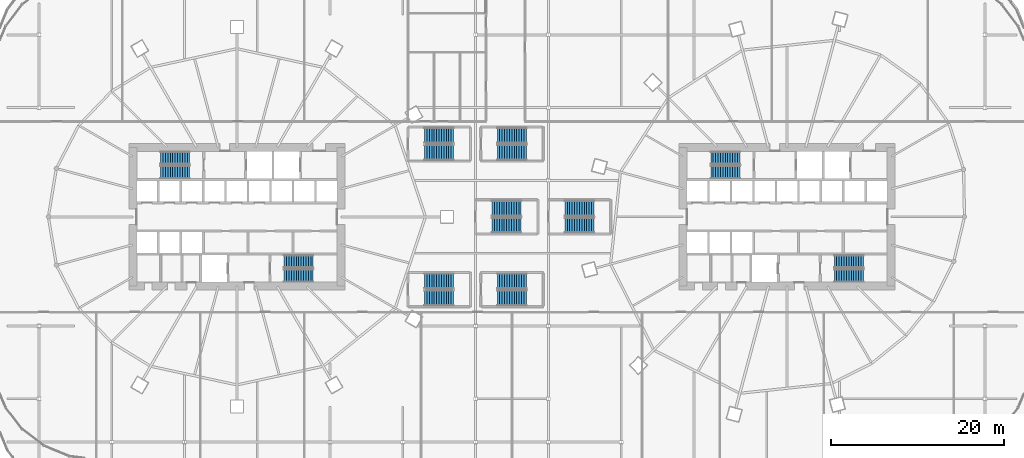
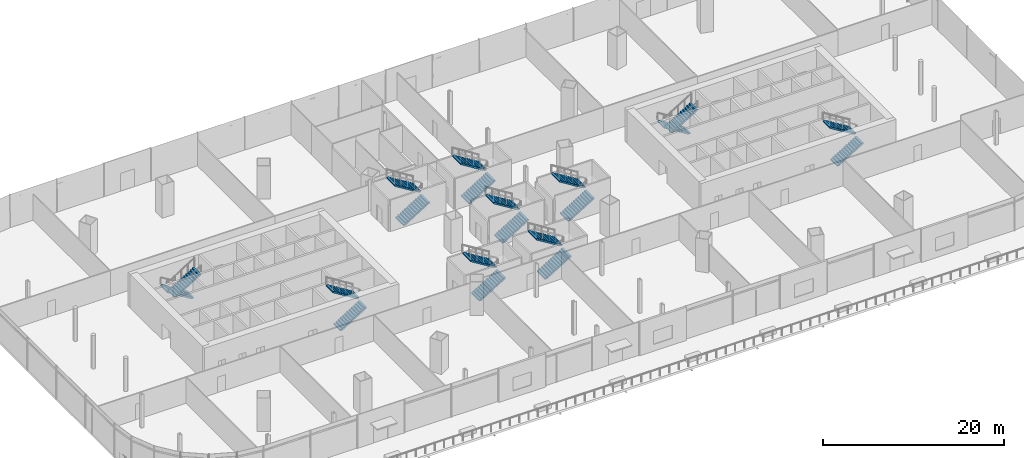
# One storey, part 42 of 52: 20 stair flights, 10 elements without a shape of their own.
"""IFC4 building model written with IfcOpenShell, lengths in metres."""

from ifc_helpers import new_model, si_unit, direction, frame, origin, place, context, subcontext, project, spatial, polyline, outline, extrude, material, type_object, element, aggregate, save


model = new_model("IFC4")

# Units and contexts
model_context = context("Model", 3, precision=1e-05, world=origin(), true_north=direction((0.0, 1.0)))
body_context = subcontext(model_context, "Body", "Model", "MODEL_VIEW")
ifc_project = project(units=[si_unit("LENGTHUNIT", "METRE"), si_unit("AREAUNIT", "SQUARE_METRE"), si_unit("VOLUMEUNIT", "CUBIC_METRE"), si_unit("PLANEANGLEUNIT", "RADIAN"), si_unit("MASSUNIT", "GRAM", prefix="KILO")], contexts=[model_context])

# Site, building, storey
site_placement = place(None, origin())
site = spatial("IfcSite", under=ifc_project, at=site_placement, CompositionType="ELEMENT")
building_placement = place(site_placement, origin())
building = spatial("IfcBuilding", under=site, at=building_placement, Name="Rimbun Link Towers", CompositionType="ELEMENT")
storey_placement = place(building_placement, frame((0.0, 0.0, 21.0)))
storey = spatial("IfcBuildingStorey", under=building, at=storey_placement, Name="L04", CompositionType="ELEMENT", Elevation=21.0)

# Stair, stair flights
ifc_material_1 = material(Name="Concrete C40/50", Category="concrete")
stair_type_1 = type_object("IfcStairType", Name="Exit stair 4500 rise", PredefinedType="HALF_TURN_STAIR", material=ifc_material_1)
stair_1_placement = place(storey_placement, origin())
stair_1 = element("IfcStair", 1, at=stair_1_placement, inside=storey, type_object=stair_type_1, Name="L04 EXIT STAIR A", PredefinedType="HALF_TURN_STAIR")
ifc_material_2 = material(Name="Concrete C40/50", Category="concrete")
stair_flight_type_1 = type_object("IfcStairFlightType", Name="Exit stair flight 4500 rise", PredefinedType="STRAIGHT", material=ifc_material_2)
stair_flight_1_placement = place(storey_placement, frame((-37.199951171875, 6.800048828125, 0.0), z_axis=(0.0, 0.0, 1.0), x_axis=(-1.0, 0.0, 0.0)))
stair_flight_1 = element("IfcStairFlight", 2, at=stair_flight_1_placement, type_object=stair_flight_type_1, Name="ST1 flight 1", NumberOfRisers=13, NumberOfTreads=12, PredefinedType="STRAIGHT", RiserHeight=0.173076923, TreadLength=0.28, context=body_context, shape_type="SweptSolid", body=[
    extrude(outline(polyline([(0.0, 0.0), (0.0, 0.173095703125), (0.280029296875, 0.173095703125), (0.280029296875, 0.34619140625), (0.56005859375, 0.34619140625), (0.56005859375, 0.519287109375), (0.840087890625, 0.519287109375), (0.840087890625, 0.6923828125), (1.1201171875, 0.6923828125), (1.1201171875, 0.865478515625), (1.39990234375, 0.865478515625), (1.39990234375, 1.03857421875), (1.679931640625, 1.03857421875), (1.679931640625, 1.21142578125), (1.9599609375, 1.21142578125), (1.9599609375, 1.384521484375), (2.239990234375, 1.384521484375), (2.239990234375, 1.5576171875), (2.52001953125, 1.5576171875), (2.52001953125, 1.730712890625), (2.800048828125, 1.730712890625), (2.800048828125, 1.90380859375), (3.080078125, 1.90380859375), (3.080078125, 2.076904296875), (3.360107421875, 2.076904296875), (3.360107421875, 2.25), (3.360107421875, 1.900634765625), (0.280029296875, 0.0), (0.0, 0.0)])), frame((0.0, 0.75, 0.0), z_axis=(0.0, -1.0, 0.0), x_axis=(1.0, 0.0, 0.0)), (0.0, 0.0, 1.0), 1.5),
])
stair_flight_2_placement = place(storey_placement, frame((-40.56005859375, 5.14990234375, 2.25), z_axis=(0.0, 0.0, 1.0), x_axis=(1.0, 0.0, 0.0)))
stair_flight_2 = element("IfcStairFlight", 3, at=stair_flight_2_placement, type_object=stair_flight_type_1, Name="ST1 flight 2", NumberOfRisers=13, NumberOfTreads=12, PredefinedType="STRAIGHT", RiserHeight=0.173076923, TreadLength=0.28, context=body_context, shape_type="SweptSolid", body=[
    extrude(outline(polyline([(0.0, 0.0), (0.0, 0.173095703125), (0.280029296875, 0.173095703125), (0.280029296875, 0.34619140625), (0.56005859375, 0.34619140625), (0.56005859375, 0.519287109375), (0.840087890625, 0.519287109375), (0.840087890625, 0.6923828125), (1.1201171875, 0.6923828125), (1.1201171875, 0.865478515625), (1.39990234375, 0.865478515625), (1.39990234375, 1.03857421875), (1.679931640625, 1.03857421875), (1.679931640625, 1.21142578125), (1.9599609375, 1.21142578125), (1.9599609375, 1.384521484375), (2.239990234375, 1.384521484375), (2.239990234375, 1.5576171875), (2.52001953125, 1.5576171875), (2.52001953125, 1.730712890625), (2.800048828125, 1.730712890625), (2.800048828125, 1.90380859375), (3.080078125, 1.90380859375), (3.080078125, 2.076904296875), (3.360107421875, 2.076904296875), (3.360107421875, 2.25), (3.360107421875, 1.900634765625), (0.280029296875, 0.0), (0.0, 0.0)])), frame((0.0, 0.75, 0.0), z_axis=(0.0, -1.0, 0.0), x_axis=(1.0, 0.0, 0.0)), (0.0, 0.0, 1.0), 1.5),
])
aggregate(stair_1, [stair_flight_1, stair_flight_2])

stair_2_placement = place(storey_placement, origin())
stair_2 = element("IfcStair", 4, at=stair_2_placement, inside=storey, type_object=stair_type_1, Name="L04 EXIT STAIR B", PredefinedType="HALF_TURN_STAIR")
stair_flight_3_placement = place(storey_placement, frame((-26.300048828125, -6.800048828125, 0.0), z_axis=(0.0, 0.0, 1.0), x_axis=(1.0, 0.0, 0.0)))
stair_flight_3 = element("IfcStairFlight", 5, at=stair_flight_3_placement, type_object=stair_flight_type_1, Name="ST2 flight 1", NumberOfRisers=13, NumberOfTreads=12, PredefinedType="STRAIGHT", RiserHeight=0.173076923, TreadLength=0.28, context=body_context, shape_type="SweptSolid", body=[
    extrude(outline(polyline([(0.0, 0.0), (0.0, 0.173095703125), (0.280029296875, 0.173095703125), (0.280029296875, 0.34619140625), (0.56005859375, 0.34619140625), (0.56005859375, 0.519287109375), (0.840087890625, 0.519287109375), (0.840087890625, 0.6923828125), (1.1201171875, 0.6923828125), (1.1201171875, 0.865478515625), (1.39990234375, 0.865478515625), (1.39990234375, 1.03857421875), (1.679931640625, 1.03857421875), (1.679931640625, 1.21142578125), (1.9599609375, 1.21142578125), (1.9599609375, 1.384521484375), (2.239990234375, 1.384521484375), (2.239990234375, 1.5576171875), (2.52001953125, 1.5576171875), (2.52001953125, 1.730712890625), (2.800048828125, 1.730712890625), (2.800048828125, 1.90380859375), (3.080078125, 1.90380859375), (3.080078125, 2.076904296875), (3.360107421875, 2.076904296875), (3.360107421875, 2.25), (3.360107421875, 1.900634765625), (0.280029296875, 0.0), (0.0, 0.0)])), frame((0.0, 0.75, 0.0), z_axis=(0.0, -1.0, 0.0), x_axis=(1.0, 0.0, 0.0)), (0.0, 0.0, 1.0), 1.5),
])
stair_flight_4_placement = place(storey_placement, frame((-22.93994140625, -5.14990234375, 2.25), z_axis=(0.0, 0.0, 1.0), x_axis=(-1.0, 0.0, 0.0)))
stair_flight_4 = element("IfcStairFlight", 6, at=stair_flight_4_placement, type_object=stair_flight_type_1, Name="ST2 flight 2", NumberOfRisers=13, NumberOfTreads=12, PredefinedType="STRAIGHT", RiserHeight=0.173076923, TreadLength=0.28, context=body_context, shape_type="SweptSolid", body=[
    extrude(outline(polyline([(0.0, 0.0), (0.0, 0.173095703125), (0.280029296875, 0.173095703125), (0.280029296875, 0.34619140625), (0.56005859375, 0.34619140625), (0.56005859375, 0.519287109375), (0.840087890625, 0.519287109375), (0.840087890625, 0.6923828125), (1.1201171875, 0.6923828125), (1.1201171875, 0.865478515625), (1.39990234375, 0.865478515625), (1.39990234375, 1.03857421875), (1.679931640625, 1.03857421875), (1.679931640625, 1.21142578125), (1.9599609375, 1.21142578125), (1.9599609375, 1.384521484375), (2.239990234375, 1.384521484375), (2.239990234375, 1.5576171875), (2.52001953125, 1.5576171875), (2.52001953125, 1.730712890625), (2.800048828125, 1.730712890625), (2.800048828125, 1.90380859375), (3.080078125, 1.90380859375), (3.080078125, 2.076904296875), (3.360107421875, 2.076904296875), (3.360107421875, 2.25), (3.360107421875, 1.900634765625), (0.280029296875, 0.0), (0.0, 0.0)])), frame((0.0, 0.75, 0.0), z_axis=(0.0, -1.0, 0.0), x_axis=(1.0, 0.0, 0.0)), (0.0, 0.0, 1.0), 1.5),
])
aggregate(stair_2, [stair_flight_3, stair_flight_4])

stair_3_placement = place(storey_placement, origin())
stair_3 = element("IfcStair", 7, at=stair_3_placement, inside=storey, type_object=stair_type_1, Name="L04 EXIT STAIR A", PredefinedType="HALF_TURN_STAIR")
stair_flight_5_placement = place(storey_placement, frame((26.300048828125, 6.800048828125, 0.0), z_axis=(0.0, 0.0, 1.0), x_axis=(-1.0, 0.0, 0.0)))
stair_flight_5 = element("IfcStairFlight", 8, at=stair_flight_5_placement, type_object=stair_flight_type_1, Name="ST3 flight 1", NumberOfRisers=13, NumberOfTreads=12, PredefinedType="STRAIGHT", RiserHeight=0.173076923, TreadLength=0.28, context=body_context, shape_type="SweptSolid", body=[
    extrude(outline(polyline([(0.0, 0.0), (0.0, 0.173095703125), (0.280029296875, 0.173095703125), (0.280029296875, 0.34619140625), (0.56005859375, 0.34619140625), (0.56005859375, 0.519287109375), (0.840087890625, 0.519287109375), (0.840087890625, 0.6923828125), (1.1201171875, 0.6923828125), (1.1201171875, 0.865478515625), (1.39990234375, 0.865478515625), (1.39990234375, 1.03857421875), (1.679931640625, 1.03857421875), (1.679931640625, 1.21142578125), (1.9599609375, 1.21142578125), (1.9599609375, 1.384521484375), (2.239990234375, 1.384521484375), (2.239990234375, 1.5576171875), (2.52001953125, 1.5576171875), (2.52001953125, 1.730712890625), (2.800048828125, 1.730712890625), (2.800048828125, 1.90380859375), (3.080078125, 1.90380859375), (3.080078125, 2.076904296875), (3.360107421875, 2.076904296875), (3.360107421875, 2.25), (3.360107421875, 1.900634765625), (0.280029296875, 0.0), (0.0, 0.0)])), frame((0.0, 0.75, 0.0), z_axis=(0.0, -1.0, 0.0), x_axis=(1.0, 0.0, 0.0)), (0.0, 0.0, 1.0), 1.5),
])
stair_flight_6_placement = place(storey_placement, frame((22.93994140625, 5.14990234375, 2.25), z_axis=(0.0, 0.0, 1.0), x_axis=(1.0, 0.0, 0.0)))
stair_flight_6 = element("IfcStairFlight", 9, at=stair_flight_6_placement, type_object=stair_flight_type_1, Name="ST3 flight 2", NumberOfRisers=13, NumberOfTreads=12, PredefinedType="STRAIGHT", RiserHeight=0.173076923, TreadLength=0.28, context=body_context, shape_type="SweptSolid", body=[
    extrude(outline(polyline([(0.0, 0.0), (0.0, 0.173095703125), (0.280029296875, 0.173095703125), (0.280029296875, 0.34619140625), (0.56005859375, 0.34619140625), (0.56005859375, 0.519287109375), (0.840087890625, 0.519287109375), (0.840087890625, 0.6923828125), (1.1201171875, 0.6923828125), (1.1201171875, 0.865478515625), (1.39990234375, 0.865478515625), (1.39990234375, 1.03857421875), (1.679931640625, 1.03857421875), (1.679931640625, 1.21142578125), (1.9599609375, 1.21142578125), (1.9599609375, 1.384521484375), (2.239990234375, 1.384521484375), (2.239990234375, 1.5576171875), (2.52001953125, 1.5576171875), (2.52001953125, 1.730712890625), (2.800048828125, 1.730712890625), (2.800048828125, 1.90380859375), (3.080078125, 1.90380859375), (3.080078125, 2.076904296875), (3.360107421875, 2.076904296875), (3.360107421875, 2.25), (3.360107421875, 1.900634765625), (0.280029296875, 0.0), (0.0, 0.0)])), frame((0.0, 0.75, 0.0), z_axis=(0.0, -1.0, 0.0), x_axis=(1.0, 0.0, 0.0)), (0.0, 0.0, 1.0), 1.5),
])
aggregate(stair_3, [stair_flight_5, stair_flight_6])

stair_4_placement = place(storey_placement, origin())
stair_4 = element("IfcStair", 10, at=stair_4_placement, inside=storey, type_object=stair_type_1, Name="L04 EXIT STAIR B", PredefinedType="HALF_TURN_STAIR")
stair_flight_7_placement = place(storey_placement, frame((37.199951171875, -6.800048828125, 0.0), z_axis=(0.0, 0.0, 1.0), x_axis=(1.0, 0.0, 0.0)))
stair_flight_7 = element("IfcStairFlight", 11, at=stair_flight_7_placement, type_object=stair_flight_type_1, Name="ST4 flight 1", NumberOfRisers=13, NumberOfTreads=12, PredefinedType="STRAIGHT", RiserHeight=0.173076923, TreadLength=0.28, context=body_context, shape_type="SweptSolid", body=[
    extrude(outline(polyline([(0.0, 0.0), (0.0, 0.173095703125), (0.280029296875, 0.173095703125), (0.280029296875, 0.34619140625), (0.56005859375, 0.34619140625), (0.56005859375, 0.519287109375), (0.840087890625, 0.519287109375), (0.840087890625, 0.6923828125), (1.1201171875, 0.6923828125), (1.1201171875, 0.865478515625), (1.39990234375, 0.865478515625), (1.39990234375, 1.03857421875), (1.679931640625, 1.03857421875), (1.679931640625, 1.21142578125), (1.9599609375, 1.21142578125), (1.9599609375, 1.384521484375), (2.239990234375, 1.384521484375), (2.239990234375, 1.5576171875), (2.52001953125, 1.5576171875), (2.52001953125, 1.730712890625), (2.800048828125, 1.730712890625), (2.800048828125, 1.90380859375), (3.080078125, 1.90380859375), (3.080078125, 2.076904296875), (3.360107421875, 2.076904296875), (3.360107421875, 2.25), (3.360107421875, 1.900634765625), (0.280029296875, 0.0), (0.0, 0.0)])), frame((0.0, 0.75, 0.0), z_axis=(0.0, -1.0, 0.0), x_axis=(1.0, 0.0, 0.0)), (0.0, 0.0, 1.0), 1.5),
])
stair_flight_8_placement = place(storey_placement, frame((40.56005859375, -5.14990234375, 2.25), z_axis=(0.0, 0.0, 1.0), x_axis=(-1.0, 0.0, 0.0)))
stair_flight_8 = element("IfcStairFlight", 12, at=stair_flight_8_placement, type_object=stair_flight_type_1, Name="ST4 flight 2", NumberOfRisers=13, NumberOfTreads=12, PredefinedType="STRAIGHT", RiserHeight=0.173076923, TreadLength=0.28, context=body_context, shape_type="SweptSolid", body=[
    extrude(outline(polyline([(0.0, 0.0), (0.0, 0.173095703125), (0.280029296875, 0.173095703125), (0.280029296875, 0.34619140625), (0.56005859375, 0.34619140625), (0.56005859375, 0.519287109375), (0.840087890625, 0.519287109375), (0.840087890625, 0.6923828125), (1.1201171875, 0.6923828125), (1.1201171875, 0.865478515625), (1.39990234375, 0.865478515625), (1.39990234375, 1.03857421875), (1.679931640625, 1.03857421875), (1.679931640625, 1.21142578125), (1.9599609375, 1.21142578125), (1.9599609375, 1.384521484375), (2.239990234375, 1.384521484375), (2.239990234375, 1.5576171875), (2.52001953125, 1.5576171875), (2.52001953125, 1.730712890625), (2.800048828125, 1.730712890625), (2.800048828125, 1.90380859375), (3.080078125, 1.90380859375), (3.080078125, 2.076904296875), (3.360107421875, 2.076904296875), (3.360107421875, 2.25), (3.360107421875, 1.900634765625), (0.280029296875, 0.0), (0.0, 0.0)])), frame((0.0, 0.75, 0.0), z_axis=(0.0, -1.0, 0.0), x_axis=(1.0, 0.0, 0.0)), (0.0, 0.0, 1.0), 1.5),
])
aggregate(stair_4, [stair_flight_7, stair_flight_8])

ifc_material_3 = material(Name="Concrete C40/50", Category="concrete")
stair_type_2 = type_object("IfcStairType", Name="Podium exit stair 1800", PredefinedType="HALF_TURN_STAIR", material=ifc_material_3)
stair_5_placement = place(storey_placement, origin())
stair_5 = element("IfcStair", 13, at=stair_5_placement, inside=storey, type_object=stair_type_2, Name="L04 PODIUM EXIT STAIR", PredefinedType="HALF_TURN_STAIR")
ifc_material_4 = material(Name="Concrete C40/50", Category="concrete")
stair_flight_type_2 = type_object("IfcStairFlightType", Name="Podium exit stair flight 1800", PredefinedType="STRAIGHT", material=ifc_material_4)
stair_flight_9_placement = place(storey_placement, frame((-10.10009765625, -9.375, 0.0), z_axis=(0.0, 0.0, 1.0), x_axis=(1.0, 0.0, 0.0)))
stair_flight_9 = element("IfcStairFlight", 14, at=stair_flight_9_placement, type_object=stair_flight_type_2, Name="PS1 flight 1", NumberOfRisers=13, NumberOfTreads=12, PredefinedType="STRAIGHT", RiserHeight=0.173076923, TreadLength=0.28, context=body_context, shape_type="SweptSolid", body=[
    extrude(outline(polyline([(0.0, 0.0), (0.0, 0.173095703125), (0.280029296875, 0.173095703125), (0.280029296875, 0.34619140625), (0.56005859375, 0.34619140625), (0.56005859375, 0.519287109375), (0.840087890625, 0.519287109375), (0.840087890625, 0.6923828125), (1.1201171875, 0.6923828125), (1.1201171875, 0.865478515625), (1.39990234375, 0.865478515625), (1.39990234375, 1.03857421875), (1.679931640625, 1.03857421875), (1.679931640625, 1.21142578125), (1.9599609375, 1.21142578125), (1.9599609375, 1.384521484375), (2.239990234375, 1.384521484375), (2.239990234375, 1.5576171875), (2.52001953125, 1.5576171875), (2.52001953125, 1.730712890625), (2.800048828125, 1.730712890625), (2.800048828125, 1.90380859375), (3.080078125, 1.90380859375), (3.080078125, 2.076904296875), (3.360107421875, 2.076904296875), (3.360107421875, 2.25), (3.360107421875, 1.900634765625), (0.280029296875, 0.0), (0.0, 0.0)])), frame((0.0, 0.89990234375, 0.0), z_axis=(0.0, -1.0, 0.0), x_axis=(1.0, 0.0, 0.0)), (0.0, 0.0, 1.0), 1.800048828125),
])
stair_flight_10_placement = place(storey_placement, frame((-6.739990234375, -7.425048828125, 2.25), z_axis=(0.0, 0.0, 1.0), x_axis=(-1.0, 0.0, 0.0)))
stair_flight_10 = element("IfcStairFlight", 15, at=stair_flight_10_placement, type_object=stair_flight_type_2, Name="PS1 flight 2", NumberOfRisers=13, NumberOfTreads=12, PredefinedType="STRAIGHT", RiserHeight=0.173076923, TreadLength=0.28, context=body_context, shape_type="SweptSolid", body=[
    extrude(outline(polyline([(0.0, 0.0), (0.0, 0.173095703125), (0.280029296875, 0.173095703125), (0.280029296875, 0.34619140625), (0.56005859375, 0.34619140625), (0.56005859375, 0.519287109375), (0.840087890625, 0.519287109375), (0.840087890625, 0.6923828125), (1.1201171875, 0.6923828125), (1.1201171875, 0.865478515625), (1.39990234375, 0.865478515625), (1.39990234375, 1.03857421875), (1.679931640625, 1.03857421875), (1.679931640625, 1.21142578125), (1.9599609375, 1.21142578125), (1.9599609375, 1.384521484375), (2.239990234375, 1.384521484375), (2.239990234375, 1.5576171875), (2.52001953125, 1.5576171875), (2.52001953125, 1.730712890625), (2.800048828125, 1.730712890625), (2.800048828125, 1.90380859375), (3.080078125, 1.90380859375), (3.080078125, 2.076904296875), (3.360107421875, 2.076904296875), (3.360107421875, 2.25), (3.360107421875, 1.900634765625), (0.280029296875, 0.0), (0.0, 0.0)])), frame((0.0, 0.89990234375, 0.0), z_axis=(0.0, -1.0, 0.0), x_axis=(1.0, 0.0, 0.0)), (0.0, 0.0, 1.0), 1.800048828125),
])
aggregate(stair_5, [stair_flight_9, stair_flight_10])

stair_6_placement = place(storey_placement, origin())
stair_6 = element("IfcStair", 16, at=stair_6_placement, inside=storey, type_object=stair_type_2, Name="L04 PODIUM EXIT STAIR", PredefinedType="HALF_TURN_STAIR")
stair_flight_11_placement = place(storey_placement, frame((-1.699951171875, -9.375, 0.0), z_axis=(0.0, 0.0, 1.0), x_axis=(1.0, 0.0, 0.0)))
stair_flight_11 = element("IfcStairFlight", 17, at=stair_flight_11_placement, type_object=stair_flight_type_2, Name="PS2 flight 1", NumberOfRisers=13, NumberOfTreads=12, PredefinedType="STRAIGHT", RiserHeight=0.173076923, TreadLength=0.28, context=body_context, shape_type="SweptSolid", body=[
    extrude(outline(polyline([(0.0, 0.0), (0.0, 0.173095703125), (0.280029296875, 0.173095703125), (0.280029296875, 0.34619140625), (0.56005859375, 0.34619140625), (0.56005859375, 0.519287109375), (0.840087890625, 0.519287109375), (0.840087890625, 0.6923828125), (1.1201171875, 0.6923828125), (1.1201171875, 0.865478515625), (1.39990234375, 0.865478515625), (1.39990234375, 1.03857421875), (1.679931640625, 1.03857421875), (1.679931640625, 1.21142578125), (1.9599609375, 1.21142578125), (1.9599609375, 1.384521484375), (2.239990234375, 1.384521484375), (2.239990234375, 1.5576171875), (2.52001953125, 1.5576171875), (2.52001953125, 1.730712890625), (2.800048828125, 1.730712890625), (2.800048828125, 1.90380859375), (3.080078125, 1.90380859375), (3.080078125, 2.076904296875), (3.360107421875, 2.076904296875), (3.360107421875, 2.25), (3.360107421875, 1.900634765625), (0.280029296875, 0.0), (0.0, 0.0)])), frame((0.0, 0.89990234375, 0.0), z_axis=(0.0, -1.0, 0.0), x_axis=(1.0, 0.0, 0.0)), (0.0, 0.0, 1.0), 1.800048828125),
])
stair_flight_12_placement = place(storey_placement, frame((1.659912109375, -7.425048828125, 2.25), z_axis=(0.0, 0.0, 1.0), x_axis=(-1.0, 0.0, 0.0)))
stair_flight_12 = element("IfcStairFlight", 18, at=stair_flight_12_placement, type_object=stair_flight_type_2, Name="PS2 flight 2", NumberOfRisers=13, NumberOfTreads=12, PredefinedType="STRAIGHT", RiserHeight=0.173076923, TreadLength=0.28, context=body_context, shape_type="SweptSolid", body=[
    extrude(outline(polyline([(0.0, 0.0), (0.0, 0.173095703125), (0.280029296875, 0.173095703125), (0.280029296875, 0.34619140625), (0.56005859375, 0.34619140625), (0.56005859375, 0.519287109375), (0.840087890625, 0.519287109375), (0.840087890625, 0.6923828125), (1.1201171875, 0.6923828125), (1.1201171875, 0.865478515625), (1.39990234375, 0.865478515625), (1.39990234375, 1.03857421875), (1.679931640625, 1.03857421875), (1.679931640625, 1.21142578125), (1.9599609375, 1.21142578125), (1.9599609375, 1.384521484375), (2.239990234375, 1.384521484375), (2.239990234375, 1.5576171875), (2.52001953125, 1.5576171875), (2.52001953125, 1.730712890625), (2.800048828125, 1.730712890625), (2.800048828125, 1.90380859375), (3.080078125, 1.90380859375), (3.080078125, 2.076904296875), (3.360107421875, 2.076904296875), (3.360107421875, 2.25), (3.360107421875, 1.900634765625), (0.280029296875, 0.0), (0.0, 0.0)])), frame((0.0, 0.89990234375, 0.0), z_axis=(0.0, -1.0, 0.0), x_axis=(1.0, 0.0, 0.0)), (0.0, 0.0, 1.0), 1.800048828125),
])
aggregate(stair_6, [stair_flight_11, stair_flight_12])

stair_7_placement = place(storey_placement, origin())
stair_7 = element("IfcStair", 19, at=stair_7_placement, inside=storey, type_object=stair_type_2, Name="L04 PODIUM EXIT STAIR", PredefinedType="HALF_TURN_STAIR")
stair_flight_13_placement = place(storey_placement, frame((-10.10009765625, 7.425048828125, 0.0), z_axis=(0.0, 0.0, 1.0), x_axis=(1.0, 0.0, 0.0)))
stair_flight_13 = element("IfcStairFlight", 20, at=stair_flight_13_placement, type_object=stair_flight_type_2, Name="PS3 flight 1", NumberOfRisers=13, NumberOfTreads=12, PredefinedType="STRAIGHT", RiserHeight=0.173076923, TreadLength=0.28, context=body_context, shape_type="SweptSolid", body=[
    extrude(outline(polyline([(0.0, 0.0), (0.0, 0.173095703125), (0.280029296875, 0.173095703125), (0.280029296875, 0.34619140625), (0.56005859375, 0.34619140625), (0.56005859375, 0.519287109375), (0.840087890625, 0.519287109375), (0.840087890625, 0.6923828125), (1.1201171875, 0.6923828125), (1.1201171875, 0.865478515625), (1.39990234375, 0.865478515625), (1.39990234375, 1.03857421875), (1.679931640625, 1.03857421875), (1.679931640625, 1.21142578125), (1.9599609375, 1.21142578125), (1.9599609375, 1.384521484375), (2.239990234375, 1.384521484375), (2.239990234375, 1.5576171875), (2.52001953125, 1.5576171875), (2.52001953125, 1.730712890625), (2.800048828125, 1.730712890625), (2.800048828125, 1.90380859375), (3.080078125, 1.90380859375), (3.080078125, 2.076904296875), (3.360107421875, 2.076904296875), (3.360107421875, 2.25), (3.360107421875, 1.900634765625), (0.280029296875, 0.0), (0.0, 0.0)])), frame((0.0, 0.89990234375, 0.0), z_axis=(0.0, -1.0, 0.0), x_axis=(1.0, 0.0, 0.0)), (0.0, 0.0, 1.0), 1.800048828125),
])
stair_flight_14_placement = place(storey_placement, frame((-6.739990234375, 9.375, 2.25), z_axis=(0.0, 0.0, 1.0), x_axis=(-1.0, 0.0, 0.0)))
stair_flight_14 = element("IfcStairFlight", 21, at=stair_flight_14_placement, type_object=stair_flight_type_2, Name="PS3 flight 2", NumberOfRisers=13, NumberOfTreads=12, PredefinedType="STRAIGHT", RiserHeight=0.173076923, TreadLength=0.28, context=body_context, shape_type="SweptSolid", body=[
    extrude(outline(polyline([(0.0, 0.0), (0.0, 0.173095703125), (0.280029296875, 0.173095703125), (0.280029296875, 0.34619140625), (0.56005859375, 0.34619140625), (0.56005859375, 0.519287109375), (0.840087890625, 0.519287109375), (0.840087890625, 0.6923828125), (1.1201171875, 0.6923828125), (1.1201171875, 0.865478515625), (1.39990234375, 0.865478515625), (1.39990234375, 1.03857421875), (1.679931640625, 1.03857421875), (1.679931640625, 1.21142578125), (1.9599609375, 1.21142578125), (1.9599609375, 1.384521484375), (2.239990234375, 1.384521484375), (2.239990234375, 1.5576171875), (2.52001953125, 1.5576171875), (2.52001953125, 1.730712890625), (2.800048828125, 1.730712890625), (2.800048828125, 1.90380859375), (3.080078125, 1.90380859375), (3.080078125, 2.076904296875), (3.360107421875, 2.076904296875), (3.360107421875, 2.25), (3.360107421875, 1.900634765625), (0.280029296875, 0.0), (0.0, 0.0)])), frame((0.0, 0.89990234375, 0.0), z_axis=(0.0, -1.0, 0.0), x_axis=(1.0, 0.0, 0.0)), (0.0, 0.0, 1.0), 1.800048828125),
])
aggregate(stair_7, [stair_flight_13, stair_flight_14])

stair_8_placement = place(storey_placement, origin())
stair_8 = element("IfcStair", 22, at=stair_8_placement, inside=storey, type_object=stair_type_2, Name="L04 PODIUM EXIT STAIR", PredefinedType="HALF_TURN_STAIR")
stair_flight_15_placement = place(storey_placement, frame((-1.699951171875, 7.425048828125, 0.0), z_axis=(0.0, 0.0, 1.0), x_axis=(1.0, 0.0, 0.0)))
stair_flight_15 = element("IfcStairFlight", 23, at=stair_flight_15_placement, type_object=stair_flight_type_2, Name="PS4 flight 1", NumberOfRisers=13, NumberOfTreads=12, PredefinedType="STRAIGHT", RiserHeight=0.173076923, TreadLength=0.28, context=body_context, shape_type="SweptSolid", body=[
    extrude(outline(polyline([(0.0, 0.0), (0.0, 0.173095703125), (0.280029296875, 0.173095703125), (0.280029296875, 0.34619140625), (0.56005859375, 0.34619140625), (0.56005859375, 0.519287109375), (0.840087890625, 0.519287109375), (0.840087890625, 0.6923828125), (1.1201171875, 0.6923828125), (1.1201171875, 0.865478515625), (1.39990234375, 0.865478515625), (1.39990234375, 1.03857421875), (1.679931640625, 1.03857421875), (1.679931640625, 1.21142578125), (1.9599609375, 1.21142578125), (1.9599609375, 1.384521484375), (2.239990234375, 1.384521484375), (2.239990234375, 1.5576171875), (2.52001953125, 1.5576171875), (2.52001953125, 1.730712890625), (2.800048828125, 1.730712890625), (2.800048828125, 1.90380859375), (3.080078125, 1.90380859375), (3.080078125, 2.076904296875), (3.360107421875, 2.076904296875), (3.360107421875, 2.25), (3.360107421875, 1.900634765625), (0.280029296875, 0.0), (0.0, 0.0)])), frame((0.0, 0.89990234375, 0.0), z_axis=(0.0, -1.0, 0.0), x_axis=(1.0, 0.0, 0.0)), (0.0, 0.0, 1.0), 1.800048828125),
])
stair_flight_16_placement = place(storey_placement, frame((1.659912109375, 9.375, 2.25), z_axis=(0.0, 0.0, 1.0), x_axis=(-1.0, 0.0, 0.0)))
stair_flight_16 = element("IfcStairFlight", 24, at=stair_flight_16_placement, type_object=stair_flight_type_2, Name="PS4 flight 2", NumberOfRisers=13, NumberOfTreads=12, PredefinedType="STRAIGHT", RiserHeight=0.173076923, TreadLength=0.28, context=body_context, shape_type="SweptSolid", body=[
    extrude(outline(polyline([(0.0, 0.0), (0.0, 0.173095703125), (0.280029296875, 0.173095703125), (0.280029296875, 0.34619140625), (0.56005859375, 0.34619140625), (0.56005859375, 0.519287109375), (0.840087890625, 0.519287109375), (0.840087890625, 0.6923828125), (1.1201171875, 0.6923828125), (1.1201171875, 0.865478515625), (1.39990234375, 0.865478515625), (1.39990234375, 1.03857421875), (1.679931640625, 1.03857421875), (1.679931640625, 1.21142578125), (1.9599609375, 1.21142578125), (1.9599609375, 1.384521484375), (2.239990234375, 1.384521484375), (2.239990234375, 1.5576171875), (2.52001953125, 1.5576171875), (2.52001953125, 1.730712890625), (2.800048828125, 1.730712890625), (2.800048828125, 1.90380859375), (3.080078125, 1.90380859375), (3.080078125, 2.076904296875), (3.360107421875, 2.076904296875), (3.360107421875, 2.25), (3.360107421875, 1.900634765625), (0.280029296875, 0.0), (0.0, 0.0)])), frame((0.0, 0.89990234375, 0.0), z_axis=(0.0, -1.0, 0.0), x_axis=(1.0, 0.0, 0.0)), (0.0, 0.0, 1.0), 1.800048828125),
])
aggregate(stair_8, [stair_flight_15, stair_flight_16])

stair_9_placement = place(storey_placement, origin())
stair_9 = element("IfcStair", 25, at=stair_9_placement, inside=storey, type_object=stair_type_2, Name="L04 PODIUM EXIT STAIR", PredefinedType="HALF_TURN_STAIR")
stair_flight_17_placement = place(storey_placement, frame((6.10009765625, -0.97509765625, 0.0), z_axis=(0.0, 0.0, 1.0), x_axis=(1.0, 0.0, 0.0)))
stair_flight_17 = element("IfcStairFlight", 26, at=stair_flight_17_placement, type_object=stair_flight_type_2, Name="PS5 flight 1", NumberOfRisers=13, NumberOfTreads=12, PredefinedType="STRAIGHT", RiserHeight=0.173076923, TreadLength=0.28, context=body_context, shape_type="SweptSolid", body=[
    extrude(outline(polyline([(0.0, 0.0), (0.0, 0.173095703125), (0.280029296875, 0.173095703125), (0.280029296875, 0.34619140625), (0.56005859375, 0.34619140625), (0.56005859375, 0.519287109375), (0.840087890625, 0.519287109375), (0.840087890625, 0.6923828125), (1.1201171875, 0.6923828125), (1.1201171875, 0.865478515625), (1.39990234375, 0.865478515625), (1.39990234375, 1.03857421875), (1.679931640625, 1.03857421875), (1.679931640625, 1.21142578125), (1.9599609375, 1.21142578125), (1.9599609375, 1.384521484375), (2.239990234375, 1.384521484375), (2.239990234375, 1.5576171875), (2.52001953125, 1.5576171875), (2.52001953125, 1.730712890625), (2.800048828125, 1.730712890625), (2.800048828125, 1.90380859375), (3.080078125, 1.90380859375), (3.080078125, 2.076904296875), (3.360107421875, 2.076904296875), (3.360107421875, 2.25), (3.360107421875, 1.900634765625), (0.280029296875, 0.0), (0.0, 0.0)])), frame((0.0, 0.89990234375, 0.0), z_axis=(0.0, -1.0, 0.0), x_axis=(1.0, 0.0, 0.0)), (0.0, 0.0, 1.0), 1.800048828125),
])
stair_flight_18_placement = place(storey_placement, frame((9.4599609375, 0.97509765625, 2.25), z_axis=(0.0, 0.0, 1.0), x_axis=(-1.0, 0.0, 0.0)))
stair_flight_18 = element("IfcStairFlight", 27, at=stair_flight_18_placement, type_object=stair_flight_type_2, Name="PS5 flight 2", NumberOfRisers=13, NumberOfTreads=12, PredefinedType="STRAIGHT", RiserHeight=0.173076923, TreadLength=0.28, context=body_context, shape_type="SweptSolid", body=[
    extrude(outline(polyline([(0.0, 0.0), (0.0, 0.173095703125), (0.280029296875, 0.173095703125), (0.280029296875, 0.34619140625), (0.56005859375, 0.34619140625), (0.56005859375, 0.519287109375), (0.840087890625, 0.519287109375), (0.840087890625, 0.6923828125), (1.1201171875, 0.6923828125), (1.1201171875, 0.865478515625), (1.39990234375, 0.865478515625), (1.39990234375, 1.03857421875), (1.679931640625, 1.03857421875), (1.679931640625, 1.21142578125), (1.9599609375, 1.21142578125), (1.9599609375, 1.384521484375), (2.239990234375, 1.384521484375), (2.239990234375, 1.5576171875), (2.52001953125, 1.5576171875), (2.52001953125, 1.730712890625), (2.800048828125, 1.730712890625), (2.800048828125, 1.90380859375), (3.080078125, 1.90380859375), (3.080078125, 2.076904296875), (3.360107421875, 2.076904296875), (3.360107421875, 2.25), (3.360107421875, 1.900634765625), (0.280029296875, 0.0), (0.0, 0.0)])), frame((0.0, 0.89990234375, 0.0), z_axis=(0.0, -1.0, 0.0), x_axis=(1.0, 0.0, 0.0)), (0.0, 0.0, 1.0), 1.800048828125),
])
aggregate(stair_9, [stair_flight_17, stair_flight_18])

stair_10_placement = place(storey_placement, origin())
stair_10 = element("IfcStair", 28, at=stair_10_placement, inside=storey, type_object=stair_type_2, Name="L04 PODIUM EXIT STAIR", PredefinedType="HALF_TURN_STAIR")
stair_flight_19_placement = place(storey_placement, frame((-2.300048828125, -0.97509765625, 0.0), z_axis=(0.0, 0.0, 1.0), x_axis=(1.0, 0.0, 0.0)))
stair_flight_19 = element("IfcStairFlight", 29, at=stair_flight_19_placement, type_object=stair_flight_type_2, Name="PS6 flight 1", NumberOfRisers=13, NumberOfTreads=12, PredefinedType="STRAIGHT", RiserHeight=0.173076923, TreadLength=0.28, context=body_context, shape_type="SweptSolid", body=[
    extrude(outline(polyline([(0.0, 0.0), (0.0, 0.173095703125), (0.280029296875, 0.173095703125), (0.280029296875, 0.34619140625), (0.56005859375, 0.34619140625), (0.56005859375, 0.519287109375), (0.840087890625, 0.519287109375), (0.840087890625, 0.6923828125), (1.1201171875, 0.6923828125), (1.1201171875, 0.865478515625), (1.39990234375, 0.865478515625), (1.39990234375, 1.03857421875), (1.679931640625, 1.03857421875), (1.679931640625, 1.21142578125), (1.9599609375, 1.21142578125), (1.9599609375, 1.384521484375), (2.239990234375, 1.384521484375), (2.239990234375, 1.5576171875), (2.52001953125, 1.5576171875), (2.52001953125, 1.730712890625), (2.800048828125, 1.730712890625), (2.800048828125, 1.90380859375), (3.080078125, 1.90380859375), (3.080078125, 2.076904296875), (3.360107421875, 2.076904296875), (3.360107421875, 2.25), (3.360107421875, 1.900634765625), (0.280029296875, 0.0), (0.0, 0.0)])), frame((0.0, 0.89990234375, 0.0), z_axis=(0.0, -1.0, 0.0), x_axis=(1.0, 0.0, 0.0)), (0.0, 0.0, 1.0), 1.800048828125),
])
stair_flight_20_placement = place(storey_placement, frame((1.06005859375, 0.97509765625, 2.25), z_axis=(0.0, 0.0, 1.0), x_axis=(-1.0, 0.0, 0.0)))
stair_flight_20 = element("IfcStairFlight", 30, at=stair_flight_20_placement, type_object=stair_flight_type_2, Name="PS6 flight 2", NumberOfRisers=13, NumberOfTreads=12, PredefinedType="STRAIGHT", RiserHeight=0.173076923, TreadLength=0.28, context=body_context, shape_type="SweptSolid", body=[
    extrude(outline(polyline([(0.0, 0.0), (0.0, 0.173095703125), (0.280029296875, 0.173095703125), (0.280029296875, 0.34619140625), (0.56005859375, 0.34619140625), (0.56005859375, 0.519287109375), (0.840087890625, 0.519287109375), (0.840087890625, 0.6923828125), (1.1201171875, 0.6923828125), (1.1201171875, 0.865478515625), (1.39990234375, 0.865478515625), (1.39990234375, 1.03857421875), (1.679931640625, 1.03857421875), (1.679931640625, 1.21142578125), (1.9599609375, 1.21142578125), (1.9599609375, 1.384521484375), (2.239990234375, 1.384521484375), (2.239990234375, 1.5576171875), (2.52001953125, 1.5576171875), (2.52001953125, 1.730712890625), (2.800048828125, 1.730712890625), (2.800048828125, 1.90380859375), (3.080078125, 1.90380859375), (3.080078125, 2.076904296875), (3.360107421875, 2.076904296875), (3.360107421875, 2.25), (3.360107421875, 1.900634765625), (0.280029296875, 0.0), (0.0, 0.0)])), frame((0.0, 0.89990234375, 0.0), z_axis=(0.0, -1.0, 0.0), x_axis=(1.0, 0.0, 0.0)), (0.0, 0.0, 1.0), 1.800048828125),
])
aggregate(stair_10, [stair_flight_19, stair_flight_20])

save(model, "model.ifc")
